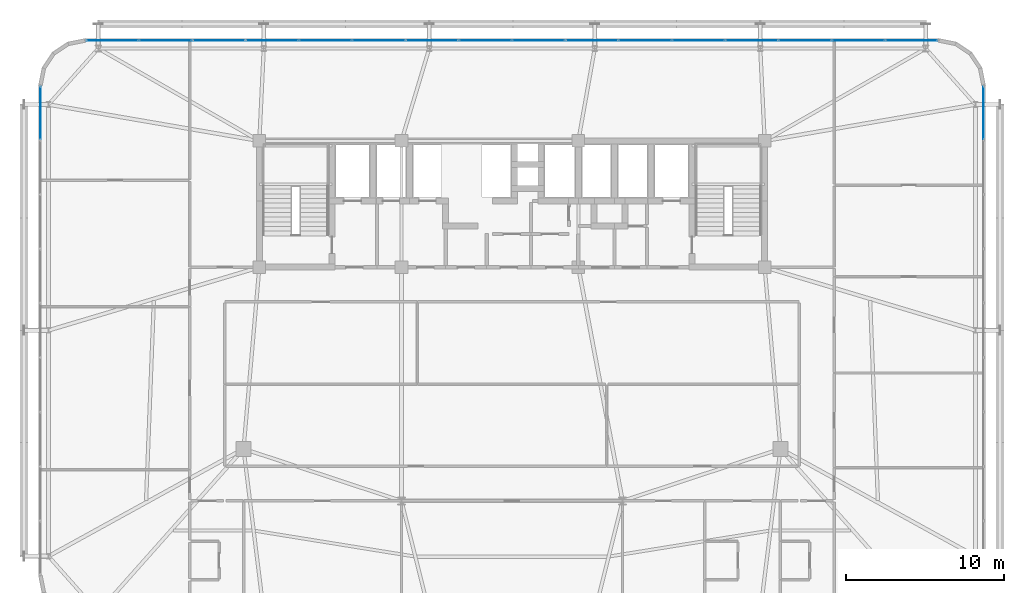
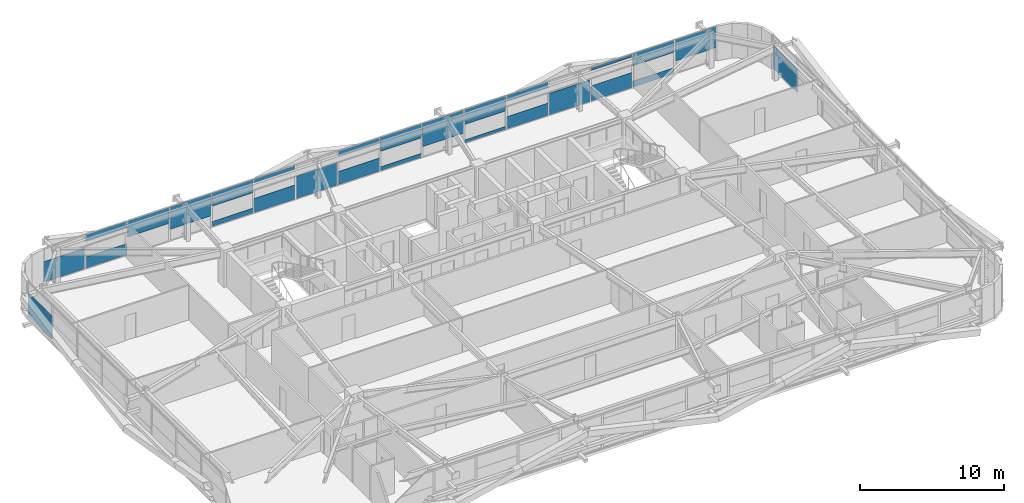
# One storey, part 43 of 59: 27 plates, 3 elements without a shape of their own.
"""IFC4 building model written with IfcOpenShell, lengths in metres."""

from ifc_helpers import new_model, si_unit, direction, frame, origin, origin_2d, place, context, subcontext, project, spatial, rectangle, extrude, source, transform, mapped, material, layer, layer_set, type_object, element, aggregate, save


model = new_model("IFC4")

# Units and contexts
model_context = context("Model", 3, precision=1e-05, world=origin(), true_north=direction((0.0, 1.0)))
body_context = subcontext(model_context, "Body", "Model", "MODEL_VIEW")
ifc_project = project(units=[si_unit("LENGTHUNIT", "METRE"), si_unit("AREAUNIT", "SQUARE_METRE"), si_unit("VOLUMEUNIT", "CUBIC_METRE"), si_unit("PLANEANGLEUNIT", "RADIAN"), si_unit("MASSUNIT", "GRAM", prefix="KILO")], contexts=[model_context])

# Site, building, storey
site_placement = place(None, origin())
site = spatial("IfcSite", under=ifc_project, at=site_placement, CompositionType="ELEMENT")
building_placement = place(site_placement, origin())
building = spatial("IfcBuilding", under=site, at=building_placement, Name="Taldren Reach Tower", CompositionType="ELEMENT")
storey_placement = place(building_placement, frame((0.0, 0.0, 26.25)))
storey = spatial("IfcBuildingStorey", under=building, at=storey_placement, Name="L07", CompositionType="ELEMENT", Elevation=26.25)

# Curtain wall, plates
ifc_material_1 = material(Name="Aluminium and Low-E Glass Unitised System", Category="aluminium")
ifc_layer_1 = layer(ifc_material_1, 0.159912109375)
ifc_layer_set_1 = layer_set([ifc_layer_1], Name="Aluminium and Low-E Glass Unitised System")
curtain_wall_type = type_object("IfcCurtainWallType", Name="CW-SYS-2", PredefinedType="NOTDEFINED", material=ifc_layer_set_1)
curtain_wall_1_placement = place(storey_placement, origin())
curtain_wall_1 = element("IfcCurtainWall", 1, at=curtain_wall_1_placement, inside=storey, type_object=curtain_wall_type, Name="Unitised curtain wall CW-L07-N", PredefinedType="NOTDEFINED")
ifc_material_2 = material(Name="Solar-Control Double Glazed IGU", Category="glass")
ifc_layer_2 = layer(ifc_material_2, 0.031982421875)
ifc_layer_set_2 = layer_set([ifc_layer_2], Name="Solar-Control Double Glazed IGU")
plate_type = type_object("IfcPlateType", Name="CW-PNL-IGU32", PredefinedType="CURTAIN_PANEL", material=ifc_layer_set_2)
shared_shape_1 = source(origin(), body_context, "Body", "SweptSolid", [
    extrude(rectangle(XDim=3.277587890625, YDim=0.031982421875, at=origin_2d()), origin(), (0.0, 0.0, 1.0), 1.73876953125),
])
plate_1_placement = place(storey_placement, frame((9.703857421875, 38.360107421875, 0.054931640625), z_axis=(0.0, 0.0, 1.0), x_axis=(-1.0, 0.0, 0.0)))
plate_1 = element("IfcPlate", 2, at=plate_1_placement, type_object=plate_type, Name="CW-2 panel 16.1 part 1", PredefinedType="CURTAIN_PANEL", context=body_context, shape_type="MappedRepresentation", body=[
    mapped(shared_shape_1, transform((0.0, 0.0, 0.0), scale=1.0)),
])
shared_shape_2 = source(origin(), body_context, "Body", "SweptSolid", [
    extrude(rectangle(XDim=3.31005859375, YDim=0.031982421875, at=origin_2d()), origin(), (0.0, 0.0, 1.0), 0.9560546875),
])
plate_2_placement = place(storey_placement, frame((13.0625, 38.360107421875, 0.054931640625), z_axis=(0.0, 0.0, 1.0), x_axis=(-1.0, 0.0, 0.0)))
plate_2 = element("IfcPlate", 3, at=plate_2_placement, type_object=plate_type, Name="CW-2 panel 15.1 part 1", PredefinedType="CURTAIN_PANEL", context=body_context, shape_type="MappedRepresentation", body=[
    mapped(shared_shape_2, transform((0.0, 0.0, 0.0), scale=1.0)),
])
shared_shape_3 = source(origin(), body_context, "Body", "SweptSolid", [
    extrude(rectangle(XDim=3.31005859375, YDim=0.031982421875, at=origin_2d()), origin(), (0.0, 0.0, 1.0), 0.562744140625),
])
plate_3_placement = place(storey_placement, frame((13.0625, 38.360107421875, 2.31201171875), z_axis=(0.0, 0.0, 1.0), x_axis=(-1.0, 0.0, 0.0)))
plate_3 = element("IfcPlate", 4, at=plate_3_placement, type_object=plate_type, Name="CW-2 panel 15.1 part 2", PredefinedType="CURTAIN_PANEL", context=body_context, shape_type="MappedRepresentation", body=[
    mapped(shared_shape_3, transform((0.0, 0.0, 0.0), scale=1.0)),
])
shared_shape_4 = source(origin(), body_context, "Body", "SweptSolid", [
    extrude(rectangle(XDim=3.31005859375, YDim=0.031982421875, at=origin_2d()), origin(), (0.0, 0.0, 1.0), 1.345458984375),
])
plate_4_placement = place(storey_placement, frame((16.4375, 38.360107421875, 1.52978515625), z_axis=(0.0, 0.0, 1.0), x_axis=(-1.0, 0.0, 0.0)))
plate_4 = element("IfcPlate", 5, at=plate_4_placement, type_object=plate_type, Name="CW-2 panel 14.1 part 1", PredefinedType="CURTAIN_PANEL", context=body_context, shape_type="MappedRepresentation", body=[
    mapped(shared_shape_4, transform((0.0, 0.0, 0.0), scale=1.0)),
])
shared_shape_5 = source(origin(), body_context, "Body", "SweptSolid", [
    extrude(rectangle(XDim=3.31005859375, YDim=0.031982421875, at=origin_2d()), origin(), (0.0, 0.0, 1.0), 1.881103515625),
])
plate_5_placement = place(storey_placement, frame((19.8125, 38.360107421875, 0.994140625), z_axis=(0.0, 0.0, 1.0), x_axis=(-1.0, 0.0, 0.0)))
plate_5 = element("IfcPlate", 6, at=plate_5_placement, type_object=plate_type, Name="CW-2 panel 13.1 part 1", PredefinedType="CURTAIN_PANEL", context=body_context, shape_type="MappedRepresentation", body=[
    mapped(shared_shape_5, transform((0.0, 0.0, 0.0), scale=1.0)),
])
shared_shape_6 = source(origin(), body_context, "Body", "SweptSolid", [
    extrude(rectangle(XDim=3.31005859375, YDim=0.031982421875, at=origin_2d()), origin(), (0.0, 0.0, 1.0), 0.42041015625),
])
plate_6_placement = place(storey_placement, frame((23.1875, 38.360107421875, 0.05517578125), z_axis=(0.0, 0.0, 1.0), x_axis=(-1.0, 0.0, 0.0)))
plate_6 = element("IfcPlate", 7, at=plate_6_placement, type_object=plate_type, Name="CW-2 panel 12.1 part 1", PredefinedType="CURTAIN_PANEL", context=body_context, shape_type="MappedRepresentation", body=[
    mapped(shared_shape_6, transform((0.0, 0.0, 0.0), scale=1.0)),
])
shared_shape_7 = source(origin(), body_context, "Body", "SweptSolid", [
    extrude(rectangle(XDim=3.31005859375, YDim=0.031982421875, at=origin_2d()), origin(), (0.0, 0.0, 1.0), 1.098388671875),
])
plate_7_placement = place(storey_placement, frame((23.1875, 38.360107421875, 1.7763671875), z_axis=(0.0, 0.0, 1.0), x_axis=(-1.0, 0.0, 0.0)))
plate_7 = element("IfcPlate", 8, at=plate_7_placement, type_object=plate_type, Name="CW-2 panel 12.1 part 2", PredefinedType="CURTAIN_PANEL", context=body_context, shape_type="MappedRepresentation", body=[
    mapped(shared_shape_7, transform((0.0, 0.0, 0.0), scale=1.0)),
])
shared_shape_8 = source(origin(), body_context, "Body", "SweptSolid", [
    extrude(rectangle(XDim=3.31005859375, YDim=0.031982421875, at=origin_2d()), origin(), (0.0, 0.0, 1.0), 1.203125),
])
plate_8_placement = place(storey_placement, frame((26.5625, 38.360107421875, 0.054931640625), z_axis=(0.0, 0.0, 1.0), x_axis=(-1.0, 0.0, 0.0)))
plate_8 = element("IfcPlate", 9, at=plate_8_placement, type_object=plate_type, Name="CW-2 panel 11.1 part 1", PredefinedType="CURTAIN_PANEL", context=body_context, shape_type="MappedRepresentation", body=[
    mapped(shared_shape_8, transform((0.0, 0.0, 0.0), scale=1.0)),
])
shared_shape_9 = source(origin(), body_context, "Body", "SweptSolid", [
    extrude(rectangle(XDim=3.31005859375, YDim=0.031982421875, at=origin_2d()), origin(), (0.0, 0.0, 1.0), 0.31591796875),
])
plate_9_placement = place(storey_placement, frame((26.5625, 38.360107421875, 2.55908203125), z_axis=(0.0, 0.0, 1.0), x_axis=(-1.0, 0.0, 0.0)))
plate_9 = element("IfcPlate", 10, at=plate_9_placement, type_object=plate_type, Name="CW-2 panel 11.1 part 2", PredefinedType="CURTAIN_PANEL", context=body_context, shape_type="MappedRepresentation", body=[
    mapped(shared_shape_9, transform((0.0, 0.0, 0.0), scale=1.0)),
])
shared_shape_10 = source(origin(), body_context, "Body", "SweptSolid", [
    extrude(rectangle(XDim=3.31005859375, YDim=0.031982421875, at=origin_2d()), origin(), (0.0, 0.0, 1.0), 1.9033203125),
])
plate_10_placement = place(storey_placement, frame((29.9375, 38.360107421875, 0.054931640625), z_axis=(0.0, 0.0, 1.0), x_axis=(-1.0, 0.0, 0.0)))
plate_10 = element("IfcPlate", 11, at=plate_10_placement, type_object=plate_type, Name="CW-2 panel 10.1 part 1", PredefinedType="CURTAIN_PANEL", context=body_context, shape_type="MappedRepresentation", body=[
    mapped(shared_shape_10, transform((0.0, 0.0, 0.0), scale=1.0)),
])
shared_shape_11 = source(origin(), body_context, "Body", "SweptSolid", [
    extrude(rectangle(XDim=3.31005859375, YDim=0.031982421875, at=origin_2d()), origin(), (0.0, 0.0, 1.0), 1.120849609375),
])
plate_11_placement = place(storey_placement, frame((33.3125, 38.360107421875, 0.05517578125), z_axis=(0.0, 0.0, 1.0), x_axis=(-1.0, 0.0, 0.0)))
plate_11 = element("IfcPlate", 12, at=plate_11_placement, type_object=plate_type, Name="CW-2 panel 9.1 part 1", PredefinedType="CURTAIN_PANEL", context=body_context, shape_type="MappedRepresentation", body=[
    mapped(shared_shape_11, transform((0.0, 0.0, 0.0), scale=1.0)),
])
shared_shape_12 = source(origin(), body_context, "Body", "SweptSolid", [
    extrude(rectangle(XDim=3.31005859375, YDim=0.031982421875, at=origin_2d()), origin(), (0.0, 0.0, 1.0), 0.398193359375),
])
plate_12_placement = place(storey_placement, frame((33.3125, 38.360107421875, 2.4765625), z_axis=(0.0, 0.0, 1.0), x_axis=(-1.0, 0.0, 0.0)))
plate_12 = element("IfcPlate", 13, at=plate_12_placement, type_object=plate_type, Name="CW-2 panel 9.1 part 2", PredefinedType="CURTAIN_PANEL", context=body_context, shape_type="MappedRepresentation", body=[
    mapped(shared_shape_12, transform((0.0, 0.0, 0.0), scale=1.0)),
])
shared_shape_13 = source(origin(), body_context, "Body", "SweptSolid", [
    extrude(rectangle(XDim=3.31005859375, YDim=0.031982421875, at=origin_2d()), origin(), (0.0, 0.0, 1.0), 0.338134765625),
])
plate_13_placement = place(storey_placement, frame((36.6875, 38.360107421875, 0.05517578125), z_axis=(0.0, 0.0, 1.0), x_axis=(-1.0, 0.0, 0.0)))
plate_13 = element("IfcPlate", 14, at=plate_13_placement, type_object=plate_type, Name="CW-2 panel 8.1 part 1", PredefinedType="CURTAIN_PANEL", context=body_context, shape_type="MappedRepresentation", body=[
    mapped(shared_shape_13, transform((0.0, 0.0, 0.0), scale=1.0)),
])
shared_shape_14 = source(origin(), body_context, "Body", "SweptSolid", [
    extrude(rectangle(XDim=3.31005859375, YDim=0.031982421875, at=origin_2d()), origin(), (0.0, 0.0, 1.0), 1.1806640625),
])
plate_14_placement = place(storey_placement, frame((36.6875, 38.360107421875, 1.6943359375), z_axis=(0.0, 0.0, 1.0), x_axis=(-1.0, 0.0, 0.0)))
plate_14 = element("IfcPlate", 15, at=plate_14_placement, type_object=plate_type, Name="CW-2 panel 8.1 part 2", PredefinedType="CURTAIN_PANEL", context=body_context, shape_type="MappedRepresentation", body=[
    mapped(shared_shape_14, transform((0.0, 0.0, 0.0), scale=1.0)),
])
shared_shape_15 = source(origin(), body_context, "Body", "SweptSolid", [
    extrude(rectangle(XDim=3.31005859375, YDim=0.031982421875, at=origin_2d()), origin(), (0.0, 0.0, 1.0), 1.96337890625),
])
plate_15_placement = place(storey_placement, frame((40.0625, 38.360107421875, 0.91162109375), z_axis=(0.0, 0.0, 1.0), x_axis=(-1.0, 0.0, 0.0)))
plate_15 = element("IfcPlate", 16, at=plate_15_placement, type_object=plate_type, Name="CW-2 panel 7.1 part 1", PredefinedType="CURTAIN_PANEL", context=body_context, shape_type="MappedRepresentation", body=[
    mapped(shared_shape_15, transform((0.0, 0.0, 0.0), scale=1.0)),
])
shared_shape_16 = source(origin(), body_context, "Body", "SweptSolid", [
    extrude(rectangle(XDim=3.31005859375, YDim=0.031982421875, at=origin_2d()), origin(), (0.0, 0.0, 1.0), 0.255859375),
])
plate_16_placement = place(storey_placement, frame((43.4375, 38.360107421875, 0.054931640625), z_axis=(0.0, 0.0, 1.0), x_axis=(-1.0, 0.0, 0.0)))
plate_16 = element("IfcPlate", 17, at=plate_16_placement, type_object=plate_type, Name="CW-2 panel 6.1 part 1", PredefinedType="CURTAIN_PANEL", context=body_context, shape_type="MappedRepresentation", body=[
    mapped(shared_shape_16, transform((0.0, 0.0, 0.0), scale=1.0)),
])
shared_shape_17 = source(origin(), body_context, "Body", "SweptSolid", [
    extrude(rectangle(XDim=3.31005859375, YDim=0.031982421875, at=origin_2d()), origin(), (0.0, 0.0, 1.0), 1.26318359375),
])
plate_17_placement = place(storey_placement, frame((43.4375, 38.360107421875, 1.61181640625), z_axis=(0.0, 0.0, 1.0), x_axis=(-1.0, 0.0, 0.0)))
plate_17 = element("IfcPlate", 18, at=plate_17_placement, type_object=plate_type, Name="CW-2 panel 6.1 part 2", PredefinedType="CURTAIN_PANEL", context=body_context, shape_type="MappedRepresentation", body=[
    mapped(shared_shape_17, transform((0.0, 0.0, 0.0), scale=1.0)),
])
shared_shape_18 = source(origin(), body_context, "Body", "SweptSolid", [
    extrude(rectangle(XDim=3.31005859375, YDim=0.031982421875, at=origin_2d()), origin(), (0.0, 0.0, 1.0), 1.03857421875),
])
plate_18_placement = place(storey_placement, frame((46.8125, 38.360107421875, 0.054931640625), z_axis=(0.0, 0.0, 1.0), x_axis=(-1.0, 0.0, 0.0)))
plate_18 = element("IfcPlate", 19, at=plate_18_placement, type_object=plate_type, Name="CW-2 panel 5.1 part 1", PredefinedType="CURTAIN_PANEL", context=body_context, shape_type="MappedRepresentation", body=[
    mapped(shared_shape_18, transform((0.0, 0.0, 0.0), scale=1.0)),
])
shared_shape_19 = source(origin(), body_context, "Body", "SweptSolid", [
    extrude(rectangle(XDim=3.31005859375, YDim=0.031982421875, at=origin_2d()), origin(), (0.0, 0.0, 1.0), 0.48046875),
])
plate_19_placement = place(storey_placement, frame((46.8125, 38.360107421875, 2.39453125), z_axis=(0.0, 0.0, 1.0), x_axis=(-1.0, 0.0, 0.0)))
plate_19 = element("IfcPlate", 20, at=plate_19_placement, type_object=plate_type, Name="CW-2 panel 5.1 part 2", PredefinedType="CURTAIN_PANEL", context=body_context, shape_type="MappedRepresentation", body=[
    mapped(shared_shape_19, transform((0.0, 0.0, 0.0), scale=1.0)),
])
shared_shape_20 = source(origin(), body_context, "Body", "SweptSolid", [
    extrude(rectangle(XDim=3.31005859375, YDim=0.031982421875, at=origin_2d()), origin(), (0.0, 0.0, 1.0), 1.821044921875),
])
plate_20_placement = place(storey_placement, frame((50.1875, 38.360107421875, 0.05517578125), z_axis=(0.0, 0.0, 1.0), x_axis=(-1.0, 0.0, 0.0)))
plate_20 = element("IfcPlate", 21, at=plate_20_placement, type_object=plate_type, Name="CW-2 panel 4.1 part 1", PredefinedType="CURTAIN_PANEL", context=body_context, shape_type="MappedRepresentation", body=[
    mapped(shared_shape_20, transform((0.0, 0.0, 0.0), scale=1.0)),
])
shared_shape_21 = source(origin(), body_context, "Body", "SweptSolid", [
    extrude(rectangle(XDim=3.31005859375, YDim=0.031982421875, at=origin_2d()), origin(), (0.0, 0.0, 1.0), 1.285400390625),
])
plate_21_placement = place(storey_placement, frame((53.5625, 38.360107421875, 0.05517578125), z_axis=(0.0, 0.0, 1.0), x_axis=(-1.0, 0.0, 0.0)))
plate_21 = element("IfcPlate", 22, at=plate_21_placement, type_object=plate_type, Name="CW-2 panel 3.1 part 1", PredefinedType="CURTAIN_PANEL", context=body_context, shape_type="MappedRepresentation", body=[
    mapped(shared_shape_21, transform((0.0, 0.0, 0.0), scale=1.0)),
])
shared_shape_22 = source(origin(), body_context, "Body", "SweptSolid", [
    extrude(rectangle(XDim=3.31005859375, YDim=0.031982421875, at=origin_2d()), origin(), (0.0, 0.0, 1.0), 0.233642578125),
])
plate_22_placement = place(storey_placement, frame((53.5625, 38.360107421875, 2.6416015625), z_axis=(0.0, 0.0, 1.0), x_axis=(-1.0, 0.0, 0.0)))
plate_22 = element("IfcPlate", 23, at=plate_22_placement, type_object=plate_type, Name="CW-2 panel 3.1 part 2", PredefinedType="CURTAIN_PANEL", context=body_context, shape_type="MappedRepresentation", body=[
    mapped(shared_shape_22, transform((0.0, 0.0, 0.0), scale=1.0)),
])
shared_shape_23 = source(origin(), body_context, "Body", "SweptSolid", [
    extrude(rectangle(XDim=3.31005859375, YDim=0.031982421875, at=origin_2d()), origin(), (0.0, 0.0, 1.0), 0.5029296875),
])
plate_23_placement = place(storey_placement, frame((56.9375, 38.360107421875, 0.054931640625), z_axis=(0.0, 0.0, 1.0), x_axis=(-1.0, 0.0, 0.0)))
plate_23 = element("IfcPlate", 24, at=plate_23_placement, type_object=plate_type, Name="CW-2 panel 2.1 part 1", PredefinedType="CURTAIN_PANEL", context=body_context, shape_type="MappedRepresentation", body=[
    mapped(shared_shape_23, transform((0.0, 0.0, 0.0), scale=1.0)),
])
shared_shape_24 = source(origin(), body_context, "Body", "SweptSolid", [
    extrude(rectangle(XDim=3.31005859375, YDim=0.031982421875, at=origin_2d()), origin(), (0.0, 0.0, 1.0), 1.01611328125),
])
plate_24_placement = place(storey_placement, frame((56.9375, 38.360107421875, 1.85888671875), z_axis=(0.0, 0.0, 1.0), x_axis=(-1.0, 0.0, 0.0)))
plate_24 = element("IfcPlate", 25, at=plate_24_placement, type_object=plate_type, Name="CW-2 panel 2.1 part 2", PredefinedType="CURTAIN_PANEL", context=body_context, shape_type="MappedRepresentation", body=[
    mapped(shared_shape_24, transform((0.0, 0.0, 0.0), scale=1.0)),
])
shared_shape_25 = source(origin(), body_context, "Body", "SweptSolid", [
    extrude(rectangle(XDim=3.277587890625, YDim=0.031982421875, at=origin_2d()), origin(), (0.0, 0.0, 1.0), 1.798583984375),
])
plate_25_placement = place(storey_placement, frame((60.296142578125, 38.360107421875, 1.076171875), z_axis=(0.0, 0.0, 1.0), x_axis=(-1.0, 0.0, 0.0)))
plate_25 = element("IfcPlate", 26, at=plate_25_placement, type_object=plate_type, Name="CW-2 panel 1.1 part 1", PredefinedType="CURTAIN_PANEL", context=body_context, shape_type="MappedRepresentation", body=[
    mapped(shared_shape_25, transform((0.0, 0.0, 0.0), scale=1.0)),
])
aggregate(curtain_wall_1, [plate_25, plate_23, plate_24, plate_21, plate_22, plate_20, plate_18, plate_19, plate_16, plate_17, plate_15, plate_13, plate_14, plate_11, plate_12, plate_10, plate_8, plate_9, plate_6, plate_7, plate_5, plate_4, plate_2, plate_3, plate_1])

# Curtain wall, plate
curtain_wall_2_placement = place(storey_placement, origin())
curtain_wall_2 = element("IfcCurtainWall", 27, at=curtain_wall_2_placement, inside=storey, type_object=curtain_wall_type, Name="Unitised curtain wall CW-L07-W", PredefinedType="NOTDEFINED")
shared_shape_26 = source(origin(), body_context, "Body", "SweptSolid", [
    extrude(rectangle(XDim=3.346923828125, YDim=0.031982421875, at=origin_2d()), origin(), (0.0, 0.0, 1.0), 1.95556640625),
])
plate_26_placement = place(storey_placement, frame((5.139892578125, 33.761474609375, 0.054931640625), z_axis=(0.0, 0.0, 1.0), x_axis=(0.0, -1.0, 0.0)))
plate_26 = element("IfcPlate", 28, at=plate_26_placement, type_object=plate_type, Name="CW-2 panel 1.1 part 1", PredefinedType="CURTAIN_PANEL", context=body_context, shape_type="MappedRepresentation", body=[
    mapped(shared_shape_26, transform((0.0, 0.0, 0.0), scale=1.0)),
])
aggregate(curtain_wall_2, [plate_26])

curtain_wall_3_placement = place(storey_placement, origin())
curtain_wall_3 = element("IfcCurtainWall", 29, at=curtain_wall_3_placement, inside=storey, type_object=curtain_wall_type, Name="Unitised curtain wall CW-L07-E", PredefinedType="NOTDEFINED")
plate_27_placement = place(storey_placement, frame((64.860107421875, 33.761474609375, 0.054931640625), z_axis=(0.0, 0.0, 1.0), x_axis=(0.0, 1.0, 0.0)))
plate_27 = element("IfcPlate", 30, at=plate_27_placement, type_object=plate_type, Name="CW-2 panel 9.1 part 1", PredefinedType="CURTAIN_PANEL", context=body_context, shape_type="MappedRepresentation", body=[
    mapped(shared_shape_26, transform((0.0, 0.0, 0.0), scale=1.0)),
])
aggregate(curtain_wall_3, [plate_27])

save(model, "model.ifc")
